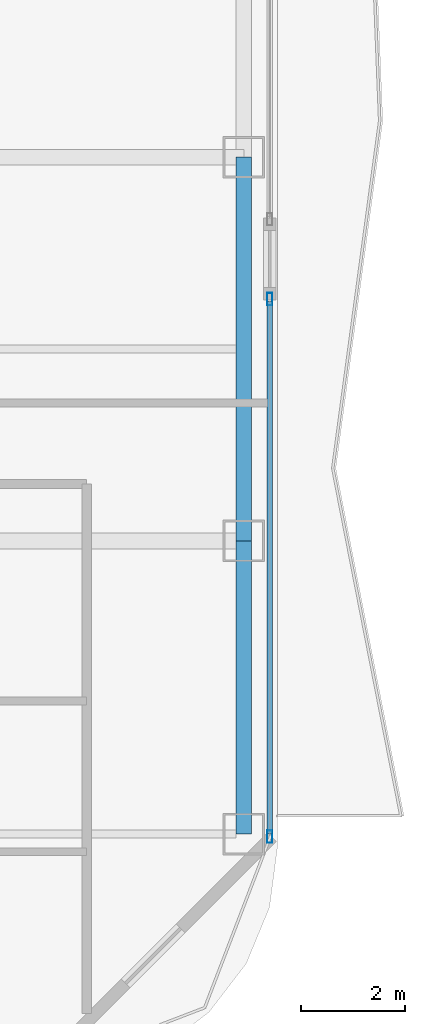
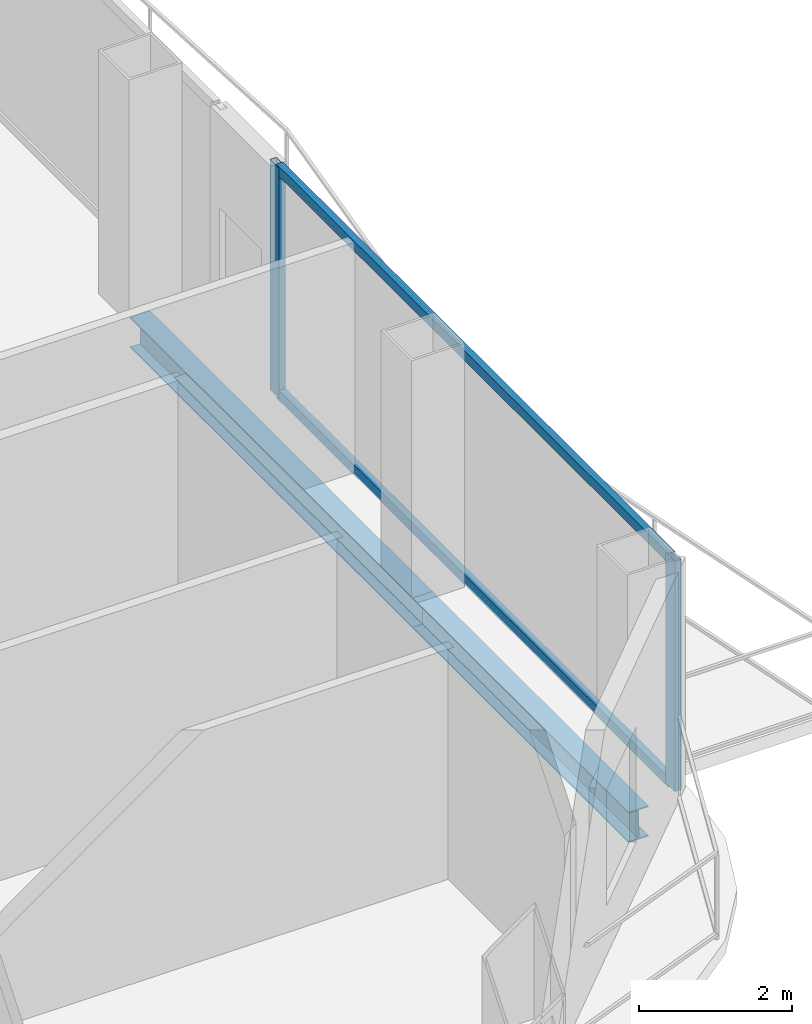
# One storey, part 10 of 27: 4 members, 2 beams, 1 element without a shape of its own.
"""IFC4 building model written with IfcOpenShell, lengths in metres."""

from ifc_helpers import new_model, si_unit, direction, frame, origin, origin_2d, place, context, subcontext, project, spatial, hollow_rectangle, i_section, extrude, material, layer, layer_set, material_profile, profile_set, type_object, element, aggregate, save


model = new_model("IFC4")

# Units and contexts
model_context = context("Model", 3, precision=1e-05, world=origin(), true_north=direction((0.0, 1.0)))
body_context = subcontext(model_context, "Body", "Model", "MODEL_VIEW")
ifc_project = project(units=[si_unit("LENGTHUNIT", "METRE"), si_unit("AREAUNIT", "SQUARE_METRE"), si_unit("VOLUMEUNIT", "CUBIC_METRE"), si_unit("PLANEANGLEUNIT", "RADIAN"), si_unit("MASSUNIT", "GRAM", prefix="KILO")], contexts=[model_context])

# Site, building, storey
site_placement = place(None, origin())
site = spatial("IfcSite", under=ifc_project, at=site_placement, CompositionType="ELEMENT")
building_placement = place(site_placement, origin())
building = spatial("IfcBuilding", under=site, at=building_placement, Name="Khorvyn Point Tower", CompositionType="ELEMENT")
storey_placement = place(building_placement, frame((0.0, 0.0, 42.300048828125)))
storey = spatial("IfcBuildingStorey", under=building, at=storey_placement, Name="L11", CompositionType="ELEMENT", Elevation=42.300048828125)

# Curtain wall, members
ifc_material_1 = material(Name="Anodised aluminium 6063-T6 and laminated Low-E glass", Category="aluminium")
ifc_layer = layer(ifc_material_1, 0.18994140625)
ifc_layer_set = layer_set([ifc_layer], Name="Stick-Built Finned Residential Curtain Wall CW-SYS-02")
curtain_wall_type = type_object("IfcCurtainWallType", Name="Stick-Built Finned Residential Curtain Wall CW-SYS-02", PredefinedType="NOTDEFINED", material=ifc_layer_set)
curtain_wall_placement = place(storey_placement, origin())
curtain_wall = element("IfcCurtainWall", 1, at=curtain_wall_placement, inside=storey, type_object=curtain_wall_type, Name="Curtain Wall", PredefinedType="NOTDEFINED")
ifc_material_2 = material(Name="Anodised aluminium 6063-T6", Category="aluminium")
ifc_material_profile_1 = material_profile(ifc_material_2, hollow_rectangle(XDim=0.10009765625, YDim=0.239990234375, WallThickness=0.0048828125, at=origin_2d()))
ifc_profile_set_1 = profile_set([ifc_material_profile_1], Name="Anodised aluminium 6063-T6 ALU-MUL-100x240")
member_type_1 = type_object("IfcMemberType", Name="Anodised Aluminium 6063-T6 Mullion ALU-MUL-100x240", PredefinedType="MULLION", material=ifc_profile_set_1)
member_1_placement = place(storey_placement, frame((27.949951171875, -10.136962890625, 0.0), z_axis=(0.0, 0.0, 1.0), x_axis=(1.0, 0.0, 0.0)))
member_1 = element("IfcMember", 2, at=member_1_placement, type_object=member_type_1, Name="Transom", PredefinedType="MULLION", context=body_context, shape_type="SweptSolid", body=[
    extrude(hollow_rectangle(XDim=0.10009765625, YDim=0.239990234375, WallThickness=0.0048828125, at=origin_2d()), origin(), (0.0, 0.0, 1.0), 3.679931640625),
])
member_2_placement = place(storey_placement, frame((27.949951171875, -20.5, 0.0), z_axis=(0.0, 0.0, 1.0), x_axis=(1.0, 0.0, 0.0)))
member_2 = element("IfcMember", 3, at=member_2_placement, type_object=member_type_1, Name="Transom", PredefinedType="MULLION", context=body_context, shape_type="SweptSolid", body=[
    extrude(hollow_rectangle(XDim=0.10009765625, YDim=0.239990234375, WallThickness=0.0048828125, at=origin_2d()), origin(), (0.0, 0.0, 1.0), 3.679931640625),
])
ifc_material_profile_2 = material_profile(ifc_material_2, hollow_rectangle(XDim=0.10009765625, YDim=0.159912109375, WallThickness=0.00439453125, at=origin_2d()))
ifc_profile_set_2 = profile_set([ifc_material_profile_2], Name="Anodised aluminium 6063-T6 ALU-TRN-100x160")
member_type_2 = type_object("IfcMemberType", Name="Anodised Aluminium 6063-T6 Transom ALU-TRN-100x160", PredefinedType="USERDEFINED", material=ifc_profile_set_2)
member_3_placement = place(storey_placement, frame((27.949951171875, -10.18701171875, 0.050048828125), z_axis=(0.0, -1.0, 0.0), x_axis=(1.0, 0.0, 0.0)))
member_3 = element("IfcMember", 4, at=member_3_placement, type_object=member_type_2, Name="Transom", ObjectType="TRANSOM", PredefinedType="USERDEFINED", context=body_context, shape_type="SweptSolid", body=[
    extrude(hollow_rectangle(XDim=0.10009765625, YDim=0.159912109375, WallThickness=0.00439453125, at=origin_2d()), origin(), (0.0, 0.0, 1.0), 10.262939453125),
])
member_4_placement = place(storey_placement, frame((27.949951171875, -10.18701171875, 3.6298828125), z_axis=(0.0, -1.0, 0.0), x_axis=(1.0, 0.0, 0.0)))
member_4 = element("IfcMember", 5, at=member_4_placement, type_object=member_type_2, Name="Transom", ObjectType="TRANSOM", PredefinedType="USERDEFINED", context=body_context, shape_type="SweptSolid", body=[
    extrude(hollow_rectangle(XDim=0.10009765625, YDim=0.159912109375, WallThickness=0.00439453125, at=origin_2d()), origin(), (0.0, 0.0, 1.0), 10.262939453125),
])
aggregate(curtain_wall, [member_1, member_2, member_3, member_4])

# Beams
ifc_material_3 = material(Name="Steel S355", Category="steel")
ifc_material_profile_3 = material_profile(ifc_material_3, i_section(OverallWidth=0.300048828125, OverallDepth=0.488037109375, WebThickness=0.010986328125, FlangeThickness=0.01806640625, at=origin_2d()))
ifc_profile_set_3 = profile_set([ifc_material_profile_3], Name="Steel S355 H488x300x11x18")
beam_type = type_object("IfcBeamType", Name="Steel S355 Spandrel H488x300x11x18", PredefinedType="SPANDREL", material=ifc_profile_set_3)
beam_1_placement = place(storey_placement, frame((27.449951171875, -20.449951171875, -0.464111328125), z_axis=(0.0, 1.0, 0.0), x_axis=(-1.0, 0.0, 0.0)))
element("IfcBeam", 6, at=beam_1_placement, inside=storey, type_object=beam_type, Name="Beam", PredefinedType="SPANDREL", context=body_context, shape_type="SweptSolid", body=[
    extrude(i_section(OverallWidth=0.300048828125, OverallDepth=0.488037109375, WebThickness=0.010986328125, FlangeThickness=0.01806640625, at=origin_2d()), origin(), (0.0, 0.0, 1.0), 5.64990234375),
])
beam_2_placement = place(storey_placement, frame((27.449951171875, -14.800048828125, -0.464111328125), z_axis=(0.0, 1.0, 0.0), x_axis=(-1.0, 0.0, 0.0)))
element("IfcBeam", 7, at=beam_2_placement, inside=storey, type_object=beam_type, Name="Beam", PredefinedType="SPANDREL", context=body_context, shape_type="SweptSolid", body=[
    extrude(i_section(OverallWidth=0.300048828125, OverallDepth=0.488037109375, WebThickness=0.010986328125, FlangeThickness=0.01806640625, at=origin_2d()), origin(), (0.0, 0.0, 1.0), 7.400146484375),
])

save(model, "model.ifc")
